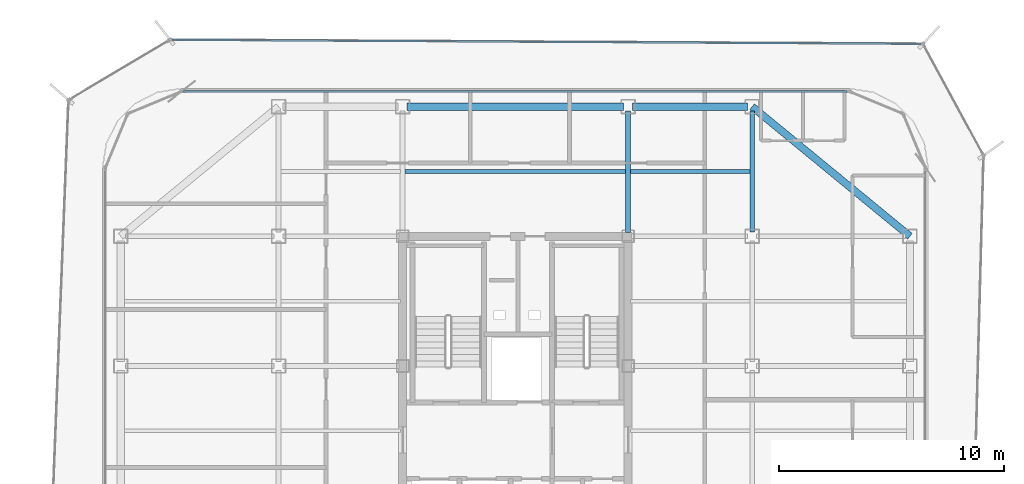
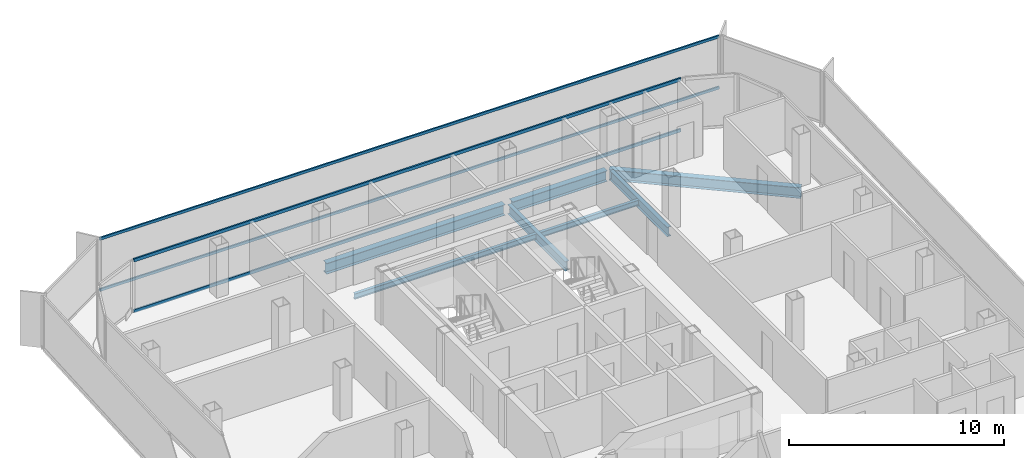
# One storey, part 7 of 15: 7 beams, 4 members, 2 elements without a shape of their own.
"""IFC4 building model written with IfcOpenShell, lengths in metres."""

from ifc_helpers import new_model, si_unit, direction, frame, origin, origin_2d, place, context, subcontext, project, spatial, hollow_rectangle, i_section, extrude, source, transform, mapped, material, layer, layer_set, material_profile, profile_set, type_object, element, aggregate, save


model = new_model("IFC4")

# Units and contexts
model_context = context("Model", 3, precision=1e-05, world=origin(), true_north=direction((0.0, 1.0)))
body_context = subcontext(model_context, "Body", "Model", "MODEL_VIEW")
ifc_project = project(units=[si_unit("LENGTHUNIT", "METRE"), si_unit("AREAUNIT", "SQUARE_METRE"), si_unit("VOLUMEUNIT", "CUBIC_METRE"), si_unit("PLANEANGLEUNIT", "RADIAN"), si_unit("MASSUNIT", "GRAM", prefix="KILO")], contexts=[model_context])

# Site, building, storey
site_placement = place(None, origin())
site = spatial("IfcSite", under=ifc_project, at=site_placement, CompositionType="ELEMENT")
building_placement = place(site_placement, origin())
building = spatial("IfcBuilding", under=site, at=building_placement, Name="Kolveth Station Tower", CompositionType="ELEMENT")
storey_placement = place(building_placement, frame((0.0, 0.0, 252.10009765625)))
storey = spatial("IfcBuildingStorey", under=building, at=storey_placement, Name="L72", CompositionType="ELEMENT", Elevation=252.10009765625)

# Beams
ifc_material_1 = material(Name="Steel S355", Category="steel")
ifc_material_profile_1 = material_profile(ifc_material_1, i_section(OverallWidth=0.323974609375, OverallDepth=0.611083984375, WebThickness=0.0126953125, FlangeThickness=0.01904296875, at=origin_2d()), Name="W610x155")
ifc_profile_set_1 = profile_set([ifc_material_profile_1], Name="Steel S355")
beam_type_1 = type_object("IfcBeamType", Name="Beam_SP2", PredefinedType="SPANDREL", material=ifc_profile_set_1)
shared_shape_1 = source(origin(), body_context, "Body", "SweptSolid", [
    extrude(i_section(OverallWidth=0.323974609375, OverallDepth=0.611083984375, WebThickness=0.0126953125, FlangeThickness=0.01904296875, at=origin_2d()), origin(), (0.0, 0.0, 1.0), 9.058837890625),
])
beam_1_placement = place(storey_placement, frame((41.0, 28.75, -0.525634765625), z_axis=(-0.772726254525, 0.63473942336, 0.0), x_axis=(-0.63473942336, -0.772726254525, 0.0)))
element("IfcBeam", 1, at=beam_1_placement, inside=storey, type_object=beam_type_1, Name="L72 Corner Edge Girder BM-L72-CNR-NE", PredefinedType="SPANDREL", context=body_context, shape_type="MappedRepresentation", body=[
    mapped(shared_shape_1, transform((0.0, 0.0, 0.0), x_axis=(1.0, 0.0, 0.0), y_axis=(0.0, 1.0, 0.0), z_axis=(0.0, 0.0, 1.0), scale=1.0)),
])
shared_shape_2 = source(origin(), body_context, "Body", "SweptSolid", [
    extrude(i_section(OverallWidth=0.323974609375, OverallDepth=0.611083984375, WebThickness=0.0126953125, FlangeThickness=0.01904296875, at=origin_2d()), origin(), (0.0, 0.0, 1.0), 5.10009765625),
])
beam_2_placement = place(storey_placement, frame((28.699951171875, 34.5, -0.525634765625), z_axis=(1.0, 0.0, 0.0), x_axis=(0.0, 1.0, 0.0)))
element("IfcBeam", 2, at=beam_2_placement, inside=storey, type_object=beam_type_1, Name="L72 Perimeter Spandrel BM-L72-PN-3", PredefinedType="SPANDREL", context=body_context, shape_type="MappedRepresentation", body=[
    mapped(shared_shape_2, transform((0.0, 0.0, 0.0), x_axis=(1.0, 0.0, 0.0), y_axis=(0.0, 1.0, 0.0), z_axis=(0.0, 0.0, 1.0), scale=1.0)),
])
shared_shape_3 = source(origin(), body_context, "Body", "SweptSolid", [
    extrude(i_section(OverallWidth=0.323974609375, OverallDepth=0.611083984375, WebThickness=0.0126953125, FlangeThickness=0.01904296875, at=origin_2d()), origin(), (0.0, 0.0, 1.0), 9.60009765625),
])
beam_3_placement = place(storey_placement, frame((18.699951171875, 34.5, -0.525634765625), z_axis=(1.0, 0.0, 0.0), x_axis=(0.0, 1.0, 0.0)))
element("IfcBeam", 3, at=beam_3_placement, inside=storey, type_object=beam_type_1, Name="L72 Perimeter Spandrel BM-L72-PN-2", PredefinedType="SPANDREL", context=body_context, shape_type="MappedRepresentation", body=[
    mapped(shared_shape_3, transform((0.0, 0.0, 0.0), x_axis=(1.0, 0.0, 0.0), y_axis=(0.0, 1.0, 0.0), z_axis=(0.0, 0.0, 1.0), scale=1.0)),
])
ifc_material_profile_2 = material_profile(ifc_material_1, i_section(OverallWidth=0.2099609375, OverallDepth=0.537109375, WebThickness=0.010986328125, FlangeThickness=0.017333984375, at=origin_2d()), Name="W530x101")
ifc_profile_set_2 = profile_set([ifc_material_profile_2], Name="Steel S355")
beam_type_2 = type_object("IfcBeamType", Name="Beam_B6", PredefinedType="BEAM", material=ifc_profile_set_2)
shared_shape_4 = source(origin(), body_context, "Body", "SweptSolid", [
    extrude(i_section(OverallWidth=0.2099609375, OverallDepth=0.537109375, WebThickness=0.010986328125, FlangeThickness=0.017333984375, at=origin_2d()), origin(), (0.0, 0.0, 1.0), 5.35009765625),
])
beam_4_placement = place(storey_placement, frame((34.0, 28.949951171875, -0.488525390625), z_axis=(0.0, 1.0, 0.0), x_axis=(-1.0, 0.0, 0.0)))
element("IfcBeam", 4, at=beam_4_placement, inside=storey, type_object=beam_type_2, Name="L72 Primary Girder BM-L72-GX340-6", PredefinedType="BEAM", context=body_context, shape_type="MappedRepresentation", body=[
    mapped(shared_shape_4, transform((0.0, 0.0, 0.0), x_axis=(1.0, 0.0, 0.0), y_axis=(0.0, 1.0, 0.0), z_axis=(0.0, 0.0, 1.0), scale=1.0)),
])
shared_shape_5 = source(origin(), body_context, "Body", "SweptSolid", [
    extrude(i_section(OverallWidth=0.2099609375, OverallDepth=0.537109375, WebThickness=0.010986328125, FlangeThickness=0.017333984375, at=origin_2d()), origin(), (0.0, 0.0, 1.0), 5.39013671875),
])
beam_5_placement = place(storey_placement, frame((28.5, 28.909912109375, -0.488525390625), z_axis=(0.0, 1.0, 0.0), x_axis=(-1.0, 0.0, 0.0)))
element("IfcBeam", 5, at=beam_5_placement, inside=storey, type_object=beam_type_2, Name="L72 Primary Girder BM-L72-GX285-6", PredefinedType="BEAM", context=body_context, shape_type="MappedRepresentation", body=[
    mapped(shared_shape_5, transform((0.0, 0.0, 0.0), x_axis=(1.0, 0.0, 0.0), y_axis=(0.0, 1.0, 0.0), z_axis=(0.0, 0.0, 1.0), scale=1.0)),
])
ifc_material_profile_3 = material_profile(ifc_material_1, i_section(OverallWidth=0.1650390625, OverallDepth=0.31005859375, WebThickness=0.005859375, FlangeThickness=0.009765625, at=origin_2d()), Name="W310x39")
ifc_profile_set_3 = profile_set([ifc_material_profile_3], Name="Steel S355")
beam_type_3 = type_object("IfcBeamType", Name="Beam_J3", PredefinedType="JOIST", material=ifc_profile_set_3)
shared_shape_6 = source(origin(), body_context, "Body", "SweptSolid", [
    extrude(i_section(OverallWidth=0.1650390625, OverallDepth=0.31005859375, WebThickness=0.005859375, FlangeThickness=0.009765625, at=origin_2d()), origin(), (0.0, 0.0, 1.0), 5.2939453125),
])
beam_6_placement = place(storey_placement, frame((28.60302734375, 31.625, -0.375), z_axis=(1.0, 0.0, 0.0), x_axis=(0.0, 1.0, 0.0)))
element("IfcBeam", 6, at=beam_6_placement, inside=storey, type_object=beam_type_3, Name="L72 Secondary Joist JST-L72-4-6", PredefinedType="JOIST", context=body_context, shape_type="MappedRepresentation", body=[
    mapped(shared_shape_6, transform((0.0, 0.0, 0.0), x_axis=(1.0, 0.0, 0.0), y_axis=(0.0, 1.0, 0.0), z_axis=(0.0, 0.0, 1.0), scale=1.0)),
])
shared_shape_7 = source(origin(), body_context, "Body", "SweptSolid", [
    extrude(i_section(OverallWidth=0.1650390625, OverallDepth=0.31005859375, WebThickness=0.005859375, FlangeThickness=0.009765625, at=origin_2d()), origin(), (0.0, 0.0, 1.0), 9.7939453125),
])
beam_7_placement = place(storey_placement, frame((18.60302734375, 31.625, -0.375), z_axis=(1.0, 0.0, 0.0), x_axis=(0.0, 1.0, 0.0)))
element("IfcBeam", 7, at=beam_7_placement, inside=storey, type_object=beam_type_3, Name="L72 Secondary Joist JST-L72-3-6", PredefinedType="JOIST", context=body_context, shape_type="MappedRepresentation", body=[
    mapped(shared_shape_7, transform((0.0, 0.0, 0.0), x_axis=(1.0, 0.0, 0.0), y_axis=(0.0, 1.0, 0.0), z_axis=(0.0, 0.0, 1.0), scale=1.0)),
])

# Curtain wall, members
ifc_material_2 = material(Name="Aluminium 6063-T6 and triple low-E dark glass", Category="aluminium")
ifc_layer_1 = layer(ifc_material_2, 0.199951171875)
ifc_layer_set_1 = layer_set([ifc_layer_1], Name="Aluminium 6063-T6 and triple low-E dark glass")
curtain_wall_type_1 = type_object("IfcCurtainWallType", Name="CurtainWall_CW-Z3", PredefinedType="NOTDEFINED", material=ifc_layer_set_1)
curtain_wall_1_placement = place(storey_placement, origin())
curtain_wall_1 = element("IfcCurtainWall", 8, at=curtain_wall_1_placement, inside=storey, type_object=curtain_wall_type_1, Name="L72 Inner Thermal Curtain Wall 6", PredefinedType="NOTDEFINED")
ifc_material_3 = material(Name="Black anodized aluminium 6063-T6", Category="aluminium")
ifc_material_profile_4 = material_profile(ifc_material_3, hollow_rectangle(XDim=0.0849609375, YDim=0.179931640625, WallThickness=0.0048828125, at=origin_2d()), Name="ALU-85x180x5")
ifc_profile_set_4 = profile_set([ifc_material_profile_4], Name="Black anodized aluminium 6063-T6")
member_type_1 = type_object("IfcMemberType", Name="Transom_TR3", PredefinedType="USERDEFINED", material=ifc_profile_set_4)
shared_shape_8 = source(origin(), body_context, "Body", "SweptSolid", [
    extrude(hollow_rectangle(XDim=0.0849609375, YDim=0.179931640625, WallThickness=0.0048828125, at=origin_2d()), origin(), (0.0, 0.0, 1.0), 29.43017578125),
])
member_1_placement = place(storey_placement, frame((38.215087890625, 35.179931640625, 0.04248046875), z_axis=(-1.0, 0.0, 0.0), x_axis=(0.0, -1.0, 0.0)))
member_1 = element("IfcMember", 9, at=member_1_placement, type_object=member_type_1, Name="CW-Z3 transom 1.1", ObjectType="TRANSOM", PredefinedType="USERDEFINED", context=body_context, shape_type="MappedRepresentation", body=[
    mapped(shared_shape_8, transform((0.0, 0.0, 0.0), x_axis=(1.0, 0.0, 0.0), y_axis=(0.0, 1.0, 0.0), z_axis=(0.0, 0.0, 1.0), scale=1.0)),
])
member_2_placement = place(storey_placement, frame((38.215087890625, 35.179931640625, 2.9375), z_axis=(-1.0, 0.0, 0.0), x_axis=(0.0, -1.0, 0.0)))
member_2 = element("IfcMember", 10, at=member_2_placement, type_object=member_type_1, Name="CW-Z3 transom 1.2", ObjectType="TRANSOM", PredefinedType="USERDEFINED", context=body_context, shape_type="MappedRepresentation", body=[
    mapped(shared_shape_8, transform((0.0, 0.0, 0.0), x_axis=(1.0, 0.0, 0.0), y_axis=(0.0, 1.0, 0.0), z_axis=(0.0, 0.0, 1.0), scale=1.0)),
])
aggregate(curtain_wall_1, [member_1, member_2])

ifc_material_4 = material(Name="Black anodized aluminium 6063-T6 and dark solar glass", Category="aluminium")
ifc_layer_2 = layer(ifc_material_4, 0.159912109375)
ifc_layer_set_2 = layer_set([ifc_layer_2], Name="Black anodized aluminium 6063-T6 and dark solar glass")
curtain_wall_type_2 = type_object("IfcCurtainWallType", Name="OUTER SKIN CW-OS", PredefinedType="NOTDEFINED", material=ifc_layer_set_2)
curtain_wall_2_placement = place(storey_placement, origin())
curtain_wall_2 = element("IfcCurtainWall", 11, at=curtain_wall_2_placement, inside=storey, type_object=curtain_wall_type_2, Name="L72 Outer Ventilated Skin Curtain Wall 4", PredefinedType="NOTDEFINED")
ifc_material_profile_5 = material_profile(ifc_material_3, hollow_rectangle(XDim=0.080078125, YDim=0.14990234375, WallThickness=0.0048828125, at=origin_2d()), Name="ALU-80x150x5")
ifc_profile_set_5 = profile_set([ifc_material_profile_5], Name="Black anodized aluminium 6063-T6")
member_type_2 = type_object("IfcMemberType", Name="Transom_TR-OS", PredefinedType="USERDEFINED", material=ifc_profile_set_5)
shared_shape_9 = source(origin(), body_context, "Body", "SweptSolid", [
    extrude(hollow_rectangle(XDim=0.080078125, YDim=0.14990234375, WallThickness=0.0048828125, at=origin_2d()), origin(), (0.0, 0.0, 1.0), 33.214599609375),
])
member_3_placement = place(storey_placement, frame((41.49072265625, 37.28564453125, 0.039794921875), z_axis=(-0.999985525034, 0.005380494721, 0.0), x_axis=(-0.005380494721, -0.999985525034, 0.0)))
member_3 = element("IfcMember", 12, at=member_3_placement, type_object=member_type_2, Name="CW-OS transom 1.1", ObjectType="TRANSOM", PredefinedType="USERDEFINED", context=body_context, shape_type="MappedRepresentation", body=[
    mapped(shared_shape_9, transform((0.0, 0.0, 0.0), x_axis=(1.0, 0.0, 0.0), y_axis=(0.0, 1.0, 0.0), z_axis=(0.0, 0.0, 1.0), scale=1.0)),
])
member_4_placement = place(storey_placement, frame((41.49072265625, 37.28564453125, 2.949951171875), z_axis=(-0.999985525034, 0.005380494721, 0.0), x_axis=(-0.005380494721, -0.999985525034, 0.0)))
member_4 = element("IfcMember", 13, at=member_4_placement, type_object=member_type_2, Name="CW-OS transom 1.2", ObjectType="TRANSOM", PredefinedType="USERDEFINED", context=body_context, shape_type="MappedRepresentation", body=[
    mapped(shared_shape_9, transform((0.0, 0.0, 0.0), x_axis=(1.0, 0.0, 0.0), y_axis=(0.0, 1.0, 0.0), z_axis=(0.0, 0.0, 1.0), scale=1.0)),
])
aggregate(curtain_wall_2, [member_3, member_4])

save(model, "model.ifc")
